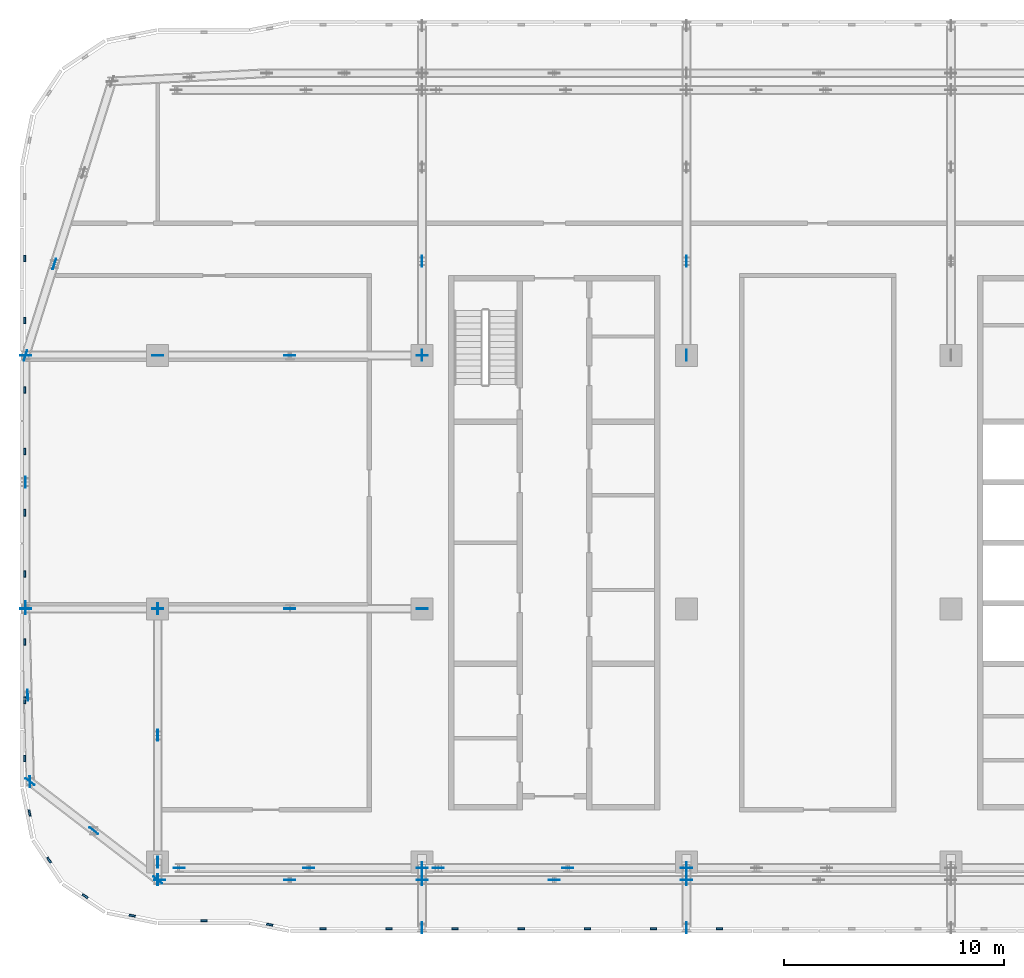
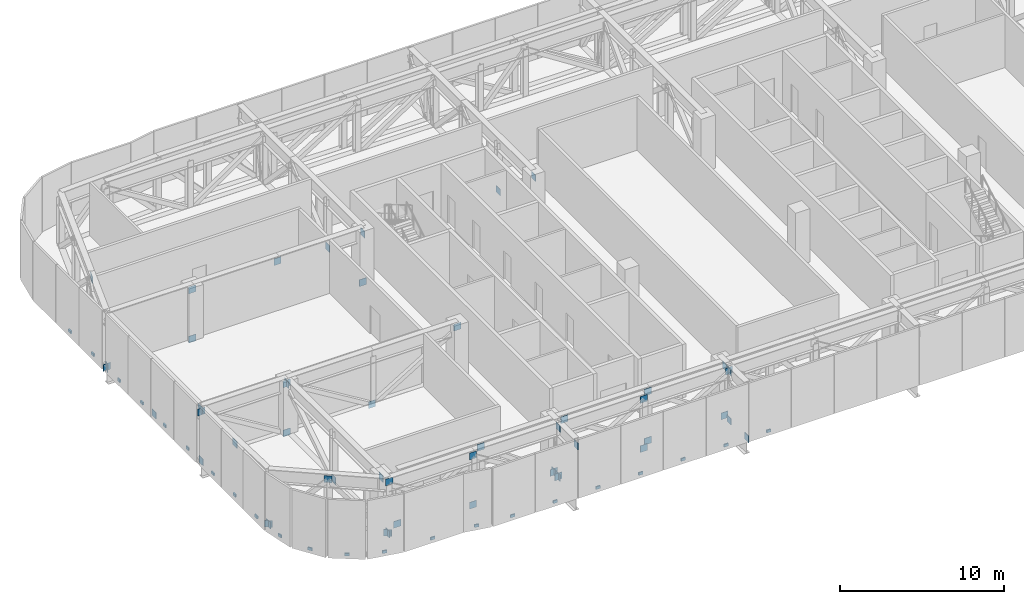
# One storey, part 17 of 29: 72 discrete accessories.
"""IFC4 building model written with IfcOpenShell, lengths in metres."""

from ifc_helpers import new_model, si_unit, direction, frame, origin, origin_2d, place, context, subcontext, project, spatial, rectangle, extrude, material, layer, layer_set, type_object, element, save


model = new_model("IFC4")

# Units and contexts
model_context = context("Model", 3, precision=1e-05, world=origin(), true_north=direction((0.0, 1.0)))
body_context = subcontext(model_context, "Body", "Model", "MODEL_VIEW")
ifc_project = project(units=[si_unit("LENGTHUNIT", "METRE"), si_unit("AREAUNIT", "SQUARE_METRE"), si_unit("VOLUMEUNIT", "CUBIC_METRE"), si_unit("PLANEANGLEUNIT", "RADIAN"), si_unit("MASSUNIT", "GRAM", prefix="KILO")], contexts=[model_context])

# Site, building, storey
site_placement = place(None, origin())
site = spatial("IfcSite", under=ifc_project, at=site_placement, CompositionType="ELEMENT")
building_placement = place(site_placement, origin())
building = spatial("IfcBuilding", under=site, at=building_placement, Name="Mahtab Terrace Research Tower", CompositionType="ELEMENT")
storey_placement = place(building_placement, frame((0.0, 0.0, 259.0)))
storey = spatial("IfcBuildingStorey", under=building, at=storey_placement, Name="L63", CompositionType="ELEMENT", Elevation=259.0)

# Discrete accessories
ifc_material_1 = material(Name="Black anodised aluminium", Category="aluminium")
discrete_accessory_type_1 = type_object("IfcDiscreteAccessoryType", Name="Facade bracket", PredefinedType="BRACKET", material=ifc_material_1)
for number, where, z_axis, x_axis, name in (
    (1, (-36.916259765625, -14.336669921875, -0.2998046875), (0.0, 0.0, 1.0), (0.980787963133, -0.195076834539, 0.0), "Louvre bracket L63 1"),
    (2, (-34.5, -14.51806640625, -0.2998046875), (0.0, 0.0, 1.0), (1.0, 0.0, 0.0), "Louvre bracket L63 2"),
    (3, (-31.5, -14.51806640625, -0.2998046875), (0.0, 0.0, 1.0), (1.0, 0.0, 0.0), "Louvre bracket L63 3"),
    (4, (-28.5, -14.51806640625, -0.2998046875), (0.0, 0.0, 1.0), (1.0, 0.0, 0.0), "Louvre bracket L63 4"),
    (5, (-25.5, -14.51806640625, -0.2998046875), (0.0, 0.0, 1.0), (1.0, 0.0, 0.0), "Louvre bracket L63 5"),
    (6, (-22.5, -14.51806640625, -0.2998046875), (0.0, 0.0, 1.0), (1.0, 0.0, 0.0), "Louvre bracket L63 6"),
    (7, (-19.5, -14.51806640625, -0.2998046875), (0.0, 0.0, 1.0), (1.0, 0.0, 0.0), "Louvre bracket L63 7"),
    (8, (-16.5, -14.51806640625, -0.2998046875), (0.0, 0.0, 1.0), (1.0, 0.0, 0.0), "Louvre bracket L63 8"),
    (9, (-48.044921875, 15.89990234375, -0.2998046875), (0.0, 0.0, 1.0), (0.0, -1.0, 0.0), "Louvre bracket L63 83"),
    (10, (-48.044921875, 13.092041015625, -0.2998046875), (0.0, 0.0, 1.0), (0.0, -1.0, 0.0), "Louvre bracket L63 84"),
    (11, (-48.044921875, 9.92138671875, -0.2998046875), (0.0, 0.0, 1.0), (0.0, -1.0, 0.0), "Louvre bracket L63 85"),
    (12, (-48.044921875, 7.140380859375, -0.2998046875), (0.0, 0.0, 1.0), (0.0, -1.0, 0.0), "Louvre bracket L63 86"),
    (13, (-48.044921875, 4.359619140625, -0.2998046875), (0.0, 0.0, 1.0), (0.0, -1.0, 0.0), "Louvre bracket L63 87"),
    (14, (-48.044921875, 1.57861328125, -0.2998046875), (0.0, 0.0, 1.0), (0.0, -1.0, 0.0), "Louvre bracket L63 88"),
    (15, (-48.044921875, -1.508544921875, -0.2998046875), (0.0, 0.0, 1.0), (0.0, -1.0, 0.0), "Louvre bracket L63 89"),
    (16, (-48.044921875, -4.14990234375, -0.2998046875), (0.0, 0.0, 1.0), (0.0, -1.0, 0.0), "Louvre bracket L63 90"),
    (17, (-48.044921875, -6.791259765625, -0.2998046875), (0.0, 0.0, 1.0), (0.0, -1.0, 0.0), "Louvre bracket L63 91"),
    (18, (-47.815673828125, -9.268798828125, -0.2998046875), (0.0, 0.0, 1.0), (0.195212442692, -0.980760981187, 0.0), "Louvre bracket L63 92"),
    (19, (-46.930419921875, -11.406494140625, -0.2998046875), (0.0, 0.0, 1.0), (0.555291490808, -0.831655794326, 0.0), "Louvre bracket L63 93"),
    (20, (-45.29443359375, -13.04248046875, -0.2998046875), (0.0, 0.0, 1.0), (0.831655794326, -0.555291490808, 0.0), "Louvre bracket L63 94"),
    (21, (-43.15673828125, -13.927734375, -0.2998046875), (0.0, 0.0, 1.0), (0.980760981187, -0.195212442692, 0.0), "Louvre bracket L63 95"),
    (22, (-39.907470703125, -14.156982421875, -0.2998046875), (0.0, 0.0, 1.0), (1.0, 0.0, 0.0), "Louvre bracket L63 96"),
):
    element("IfcDiscreteAccessory", number, at=place(storey_placement, frame(where, z_axis=z_axis, x_axis=x_axis)), inside=storey, type_object=discrete_accessory_type_1, Name=name, PredefinedType="BRACKET", context=body_context, shape_type="SweptSolid", body=[
        extrude(rectangle(XDim=0.300048828125, YDim=0.090087890625, at=origin_2d()), origin(), (0.0, 0.0, 1.0), 0.199951171875),
    ])
ifc_material_2 = material(Name="Steel ASTM A992 Gr 50", Category="steel")
ifc_layer = layer(ifc_material_2, 0.030029296875)
ifc_layer_set = layer_set([ifc_layer], Name="Gusset plate 500x500x30")
discrete_accessory_type_2 = type_object("IfcDiscreteAccessoryType", Name="Gusset plate 500x500x30", PredefinedType="USERDEFINED", material=ifc_layer_set)
for number, where, z_axis, x_axis, name in (
    (23, (-48.0, 0.0, 3.209716796875), (0.0, 0.0, 1.0), (1.0, 0.0, 0.0), "Gusset plate"),
    (24, (-48.0, 11.5, -0.44677734375), (0.0, 0.0, 1.0), (1.0, 0.0, 0.0), "Gusset plate"),
    (25, (-41.901611328125, -12.306884765625, 3.339111328125), (0.0, 0.0, 1.0), (1.0, 0.0, 0.0), "Gusset plate"),
    (26, (-42.0, 0.0, -0.44677734375), (0.0, 0.0, 1.0), (1.0, 0.0, 0.0), "Gusset plate"),
    (27, (-42.0, 0.0, 3.209716796875), (0.0, 0.0, 1.0), (1.0, 0.0, 0.0), "Gusset plate"),
    (28, (-42.0, 11.5, -0.44677734375), (0.0, 0.0, 1.0), (1.0, 0.0, 0.0), "Gusset plate"),
    (29, (-42.0, 11.5, 3.209716796875), (0.0, 0.0, 1.0), (1.0, 0.0, 0.0), "Gusset plate"),
    (30, (-41.02099609375, -11.758056640625, -0.44677734375), (0.0, 0.0, 1.0), (1.0, 0.0, 0.0), "Gusset plate"),
    (31, (-36.0, -12.306884765625, -0.44677734375), (0.0, 0.0, 1.0), (1.0, 0.0, 0.0), "Gusset plate"),
    (32, (-36.0, -12.306884765625, 3.209716796875), (0.0, 0.0, 1.0), (1.0, 0.0, 0.0), "Gusset plate"),
    (33, (-36.0, 0.0, -0.44677734375), (0.0, 0.0, 1.0), (1.0, 0.0, 0.0), "Gusset plate"),
    (34, (-36.0, 11.5, 3.209716796875), (0.0, 0.0, 1.0), (1.0, 0.0, 0.0), "Gusset plate"),
    (35, (-35.14306640625, -11.758056640625, 3.209716796875), (0.0, 0.0, 1.0), (1.0, 0.0, 0.0), "Gusset plate"),
    (36, (-30.0, -12.306884765625, -0.44677734375), (0.0, 0.0, 1.0), (1.0, 0.0, 0.0), "Gusset plate"),
    (37, (-30.0, -11.758056640625, -0.44677734375), (0.0, 0.0, 1.0), (1.0, 0.0, 0.0), "Gusset plate"),
    (38, (-30.0, 0.0, 3.209716796875), (0.0, 0.0, 1.0), (1.0, 0.0, 0.0), "Gusset plate"),
    (39, (-30.0, 11.5, -0.44677734375), (0.0, 0.0, 1.0), (1.0, 0.0, 0.0), "Gusset plate"),
    (40, (-29.26611328125, -11.758056640625, 3.209716796875), (0.0, 0.0, 1.0), (1.0, 0.0, 0.0), "Gusset plate"),
    (41, (-24.0, -12.306884765625, -0.44677734375), (0.0, 0.0, 1.0), (1.0, 0.0, 0.0), "Gusset plate"),
    (42, (-24.0, -12.306884765625, 3.209716796875), (0.0, 0.0, 1.0), (1.0, 0.0, 0.0), "Gusset plate"),
    (43, (-23.387939453125, -11.758056640625, -0.44677734375), (0.0, 0.0, 1.0), (1.0, 0.0, 0.0), "Gusset plate"),
    (44, (-23.387939453125, -11.758056640625, 3.209716796875), (0.0, 0.0, 1.0), (1.0, 0.0, 0.0), "Gusset plate"),
    (45, (-18.0, -12.306884765625, 3.209716796875), (0.0, 0.0, 1.0), (1.0, 0.0, 0.0), "Gusset plate"),
    (46, (-18.0, -11.758056640625, -0.44677734375), (0.0, 0.0, 1.0), (1.0, 0.0, 0.0), "Gusset plate"),
    (47, (-48.0, 11.5, -0.44677734375), (0.0, 0.0, 1.0), (0.301071978348, 0.953601417707, 0.0), "Gusset plate"),
    (48, (-46.69091796875, 15.64599609375, 3.209716796875), (0.0, 0.0, 1.0), (0.301071978348, 0.953601417707, 0.0), "Gusset plate"),
    (49, (-48.0, 0.093994140625, 3.339111328125), (0.0, 0.0, 1.0), (0.0, 1.0, 0.0), "Gusset plate"),
    (50, (-48.0, 5.75, -0.44677734375), (0.0, 0.0, 1.0), (0.0, 1.0, 0.0), "Gusset plate"),
    (51, (-42.0, -12.306884765625, -0.44677734375), (0.0, 0.0, 1.0), (0.0, 1.0, 0.0), "Gusset plate"),
    (52, (-42.0, -11.5, 3.209716796875), (0.0, 0.0, 1.0), (0.0, 1.0, 0.0), "Gusset plate"),
    (53, (-42.0, -5.75, -0.44677734375), (0.0, 0.0, 1.0), (0.0, 1.0, 0.0), "Gusset plate"),
    (54, (-42.0, 0.0, 3.209716796875), (0.0, 0.0, 1.0), (0.0, 1.0, 0.0), "Gusset plate"),
    (55, (-30.0, -14.472900390625, 3.209716796875), (0.0, 0.0, 1.0), (0.0, 1.0, 0.0), "Gusset plate"),
    (56, (-30.0, -12.306884765625, -0.44677734375), (0.0, 0.0, 1.0), (0.0, 1.0, 0.0), "Gusset plate"),
    (57, (-30.0, -12.306884765625, 3.209716796875), (0.0, 0.0, 1.0), (0.0, 1.0, 0.0), "Gusset plate"),
    (58, (-30.0, -11.758056640625, -0.44677734375), (0.0, 0.0, 1.0), (0.0, 1.0, 0.0), "Gusset plate"),
    (59, (-30.0, 11.5, 3.209716796875), (0.0, 0.0, 1.0), (0.0, 1.0, 0.0), "Gusset plate"),
    (60, (-30.0, 15.76904296875, -0.44677734375), (0.0, 0.0, 1.0), (0.0, 1.0, 0.0), "Gusset plate"),
    (61, (-18.0, -14.472900390625, -0.44677734375), (0.0, 0.0, 1.0), (0.0, 1.0, 0.0), "Gusset plate"),
    (62, (-18.0, -12.306884765625, -0.44677734375), (0.0, 0.0, 1.0), (0.0, 1.0, 0.0), "Gusset plate"),
    (63, (-18.0, -12.306884765625, 3.209716796875), (0.0, 0.0, 1.0), (0.0, 1.0, 0.0), "Gusset plate"),
    (64, (-18.0, -11.758056640625, 3.209716796875), (0.0, 0.0, 1.0), (0.0, 1.0, 0.0), "Gusset plate"),
    (65, (-18.0, 11.5, 3.209716796875), (0.0, 0.0, 1.0), (0.0, 1.0, 0.0), "Gusset plate"),
    (66, (-18.0, 15.76904296875, -0.44677734375), (0.0, 0.0, 1.0), (0.0, 1.0, 0.0), "Gusset plate"),
    (67, (-48.0, 0.0, -0.44677734375), (0.0, 0.0, 1.0), (-0.025723315524, 0.999669100772, 0.0), "Gusset plate"),
    (68, (-47.89892578125, -3.924072265625, 3.209716796875), (0.0, 0.0, 1.0), (-0.025723315524, 0.999669100772, 0.0), "Gusset plate"),
    (69, (-47.798095703125, -7.847900390625, -0.44677734375), (0.0, 0.0, 1.0), (-0.025723315524, 0.999669100772, 0.0), "Gusset plate"),
    (70, (-47.798095703125, -7.847900390625, -0.44677734375), (0.0, 0.0, 1.0), (-0.792619647675, 0.609716404666, 0.0), "Gusset plate"),
    (71, (-44.89892578125, -10.077880859375, 3.209716796875), (0.0, 0.0, 1.0), (-0.792619647675, 0.609716404666, 0.0), "Gusset plate"),
    (72, (-42.0, -12.306884765625, -0.44677734375), (0.0, 0.0, 1.0), (-0.792757967536, 0.60953654928, 0.0), "Gusset plate"),
):
    element("IfcDiscreteAccessory", number, at=place(storey_placement, frame(where, z_axis=z_axis, x_axis=x_axis)), inside=storey, type_object=discrete_accessory_type_2, Name=name, ObjectType="GUSSET PLATE", PredefinedType="USERDEFINED", context=body_context, shape_type="SweptSolid", body=[
        extrude(rectangle(XDim=0.5, YDim=0.030029296875, at=origin_2d()), origin(), (0.0, 0.0, 1.0), 0.5),
    ])

save(model, "model.ifc")
